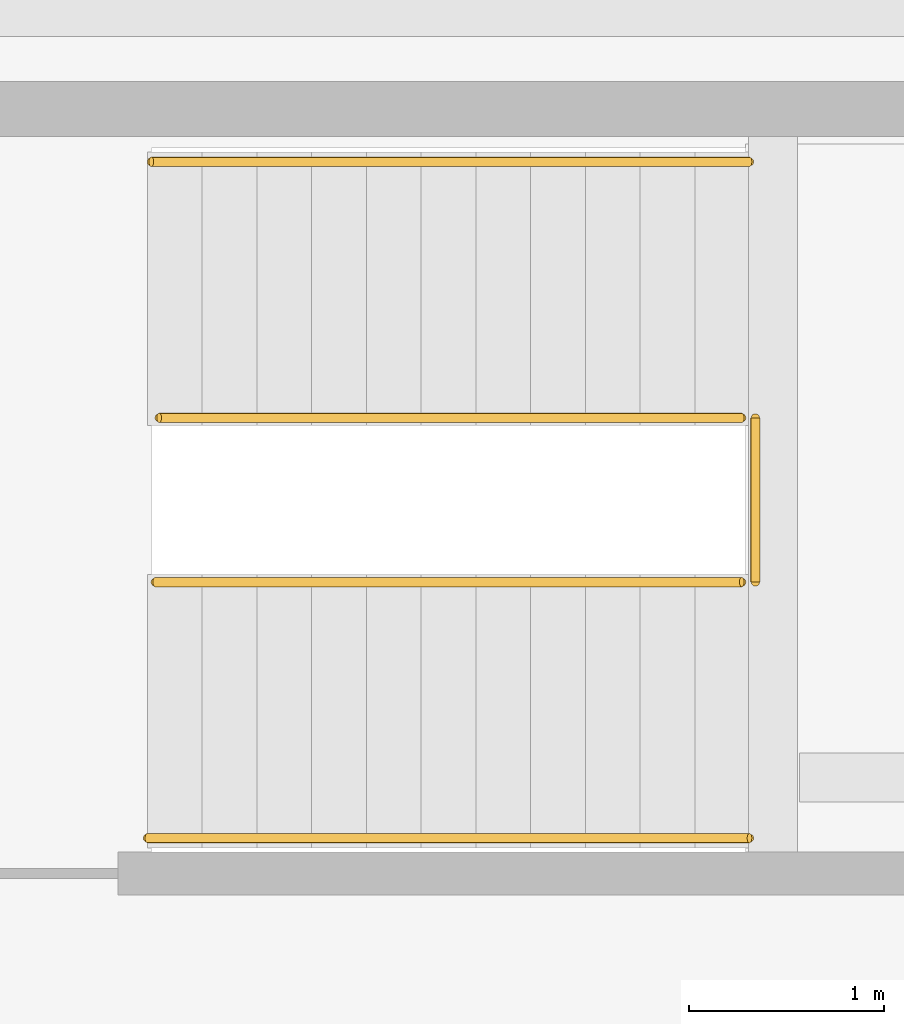
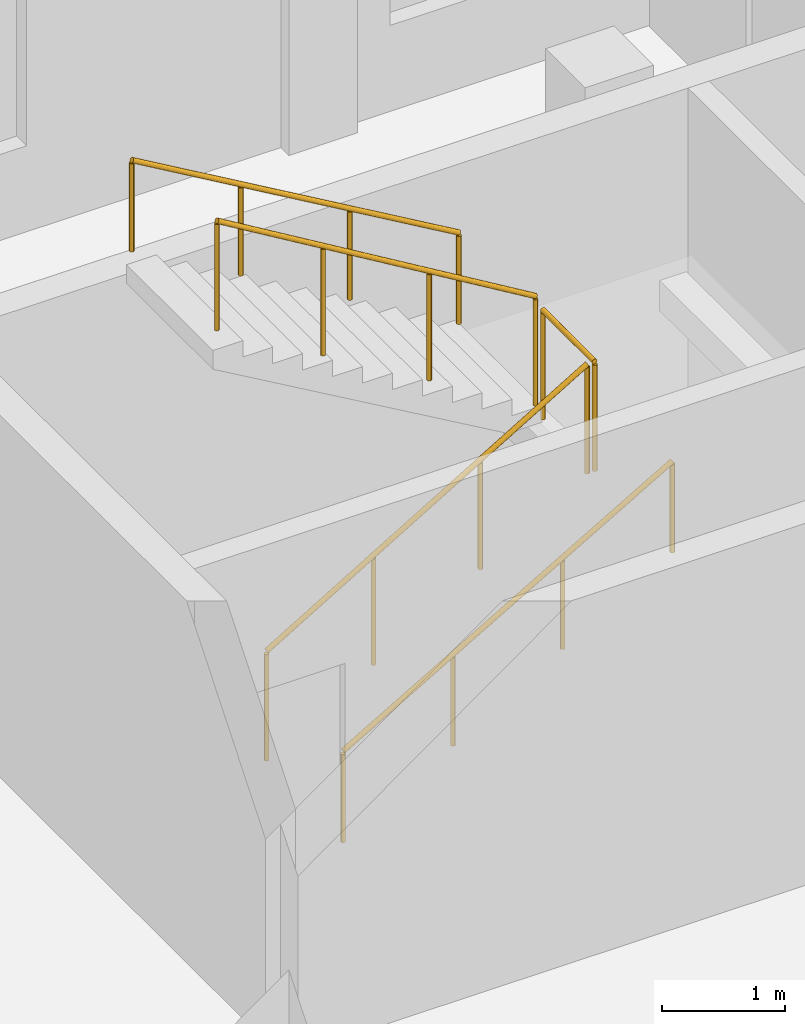
# One storey, part 128 of 128: 5 railings.
"""IFC4 building model written with IfcOpenShell, lengths in metres."""

from ifc_helpers import new_model, si_unit, direction, frame, origin, origin_2d, place, context, subcontext, project, spatial, circle, extrude, material, type_object, element, save


model = new_model("IFC4")

# Units and contexts
model_context = context("Model", 3, precision=1e-05, world=origin(), true_north=direction((0.0, 1.0)))
body_context = subcontext(model_context, "Body", "Model", "MODEL_VIEW")
ifc_project = project(units=[si_unit("LENGTHUNIT", "METRE"), si_unit("AREAUNIT", "SQUARE_METRE"), si_unit("VOLUMEUNIT", "CUBIC_METRE"), si_unit("PLANEANGLEUNIT", "RADIAN"), si_unit("MASSUNIT", "GRAM", prefix="KILO")], contexts=[model_context])

# Site, building, storey
site_placement = place(None, origin())
site = spatial("IfcSite", under=ifc_project, at=site_placement, CompositionType="ELEMENT")
building_placement = place(site_placement, origin())
building = spatial("IfcBuilding", under=site, at=building_placement, Name="Zornivar Specialist Clinic", CompositionType="ELEMENT")
storey_placement = place(building_placement, frame((0.0, 0.0, 4.5)))
storey = spatial("IfcBuildingStorey", under=building, at=storey_placement, Name="L01", CompositionType="ELEMENT", Elevation=4.5)

# Railings
ifc_material_1 = material(Name="Brushed Stainless Steel Stair Guardrail", Category="steel")
railing_type_1 = type_object("IfcRailingType", Name="GRD-INT-STAIR-1100", PredefinedType="GUARDRAIL", material=ifc_material_1)
railing_1_placement = place(storey_placement, frame((146.340087890625, 104.97998046875, 0.162109375)))
element("IfcRailing", 1, at=railing_1_placement, inside=storey, type_object=railing_type_1, Name="stair:C10:L01:grd1", PredefinedType="GUARDRAIL", context=body_context, shape_type="SweptSolid", body=[
    extrude(circle(Radius=0.02392578125, at=origin_2d()), frame((0.0, 0.0, 1.076171875), z_axis=(0.859025016629, 0.0, 0.511933609764), x_axis=(0.0, 1.0, 0.0)), (0.0, 0.0, 1.0), 3.492431640625),
    extrude(circle(Radius=0.02099609375, at=origin_2d()), origin(), (0.0, 0.0, 1.0), 1.052001953125),
    extrude(circle(Radius=0.02099609375, at=origin_2d()), frame((1.0, 0.0, 0.595947265625)), (0.0, 0.0, 1.0), 1.052001953125),
    extrude(circle(Radius=0.02099609375, at=origin_2d()), frame((2.0, 0.0, 1.19189453125)), (0.0, 0.0, 1.0), 1.052001953125),
    extrude(circle(Radius=0.02099609375, at=origin_2d()), frame((3.0, 0.0, 1.787841796875)), (0.0, 0.0, 1.0), 1.052001953125),
])
railing_2_placement = place(storey_placement, frame((149.340087890625, 105.820068359375, 2.112060546875)))
element("IfcRailing", 2, at=railing_2_placement, inside=storey, type_object=railing_type_1, Name="stair:C10:L01:grd2", PredefinedType="GUARDRAIL", context=body_context, shape_type="SweptSolid", body=[
    extrude(circle(Radius=0.02392578125, at=origin_2d()), frame((0.0, 0.0, 1.076171875), z_axis=(-0.857511521609, 0.0, 0.514464760998), x_axis=(0.0, -1.0, 0.0)), (0.0, 0.0, 1.0), 3.47509765625),
    extrude(circle(Radius=0.02099609375, at=origin_2d()), origin(), (0.0, 0.0, 1.0), 1.052001953125),
    extrude(circle(Radius=0.02099609375, at=origin_2d()), frame((-0.993408203125, 0.0, 0.595947265625)), (0.0, 0.0, 1.0), 1.052001953125),
    extrude(circle(Radius=0.02099609375, at=origin_2d()), frame((-1.986572265625, 0.0, 1.19189453125)), (0.0, 0.0, 1.0), 1.052001953125),
    extrude(circle(Radius=0.02099609375, at=origin_2d()), frame((-2.97998046875, 0.0, 1.787841796875)), (0.0, 0.0, 1.0), 1.052001953125),
])
railing_3_placement = place(storey_placement, frame((149.409912109375, 104.97998046875, 1.949951171875)))
element("IfcRailing", 3, at=railing_3_placement, inside=storey, type_object=railing_type_1, Name="stair:C10:L01:grdl", PredefinedType="GUARDRAIL", context=body_context, shape_type="SweptSolid", body=[
    extrude(circle(Radius=0.02392578125, at=origin_2d()), frame((0.0, 0.0, 1.076171875), z_axis=(0.0, 1.0, 0.0), x_axis=(-1.0, 0.0, 0.0)), (0.0, 0.0, 1.0), 0.840087890625),
    extrude(circle(Radius=0.02099609375, at=origin_2d()), origin(), (0.0, 0.0, 1.0), 1.052001953125),
    extrude(circle(Radius=0.02099609375, at=origin_2d()), frame((0.0, 0.840087890625, 0.0)), (0.0, 0.0, 1.0), 1.052001953125),
])
ifc_material_2 = material(Name="Brushed Stainless Steel Continuous Handrail", Category="steel")
railing_type_2 = type_object("IfcRailingType", Name="HRL-STAIR-0920", PredefinedType="HANDRAIL", material=ifc_material_2)
railing_4_placement = place(storey_placement, frame((146.300048828125, 103.669921875, 0.162109375)))
element("IfcRailing", 4, at=railing_4_placement, inside=storey, type_object=railing_type_2, Name="stair:C10:L01:hr1", PredefinedType="HANDRAIL", context=body_context, shape_type="SweptSolid", body=[
    extrude(circle(Radius=0.02392578125, at=origin_2d()), frame((0.0, 0.0, 0.89599609375), z_axis=(0.864843680186, 0.0, 0.502041242172), x_axis=(0.0, 1.0, 0.0)), (0.0, 0.0, 1.0), 3.56103515625),
    extrude(circle(Radius=0.02099609375, at=origin_2d()), origin(), (0.0, 0.0, 1.0), 0.871826171875),
    extrude(circle(Radius=0.02099609375, at=origin_2d()), frame((1.026611328125, 0.0, 0.595947265625)), (0.0, 0.0, 1.0), 0.871826171875),
    extrude(circle(Radius=0.02099609375, at=origin_2d()), frame((2.05322265625, 0.0, 1.19189453125)), (0.0, 0.0, 1.0), 0.871826171875),
    extrude(circle(Radius=0.02099609375, at=origin_2d()), frame((3.079833984375, 0.0, 1.787841796875)), (0.0, 0.0, 1.0), 0.871826171875),
])
railing_5_placement = place(storey_placement, frame((149.3798828125, 107.1298828125, 2.112060546875)))
element("IfcRailing", 5, at=railing_5_placement, inside=storey, type_object=railing_type_2, Name="stair:C10:L01:hr2", PredefinedType="HANDRAIL", context=body_context, shape_type="SweptSolid", body=[
    extrude(circle(Radius=0.02392578125, at=origin_2d()), frame((0.0, 0.0, 0.89599609375), z_axis=(-0.863416372897, 0.0, 0.504491989047), x_axis=(0.0, -1.0, 0.0)), (0.0, 0.0, 1.0), 3.5439453125),
    extrude(circle(Radius=0.02099609375, at=origin_2d()), origin(), (0.0, 0.0, 1.0), 0.871826171875),
    extrude(circle(Radius=0.02099609375, at=origin_2d()), frame((-1.02001953125, 0.0, 0.595947265625)), (0.0, 0.0, 1.0), 0.871826171875),
    extrude(circle(Radius=0.02099609375, at=origin_2d()), frame((-2.039794921875, 0.0, 1.19189453125)), (0.0, 0.0, 1.0), 0.871826171875),
    extrude(circle(Radius=0.02099609375, at=origin_2d()), frame((-3.059814453125, 0.0, 1.787841796875)), (0.0, 0.0, 1.0), 0.871826171875),
])

save(model, "model.ifc")
